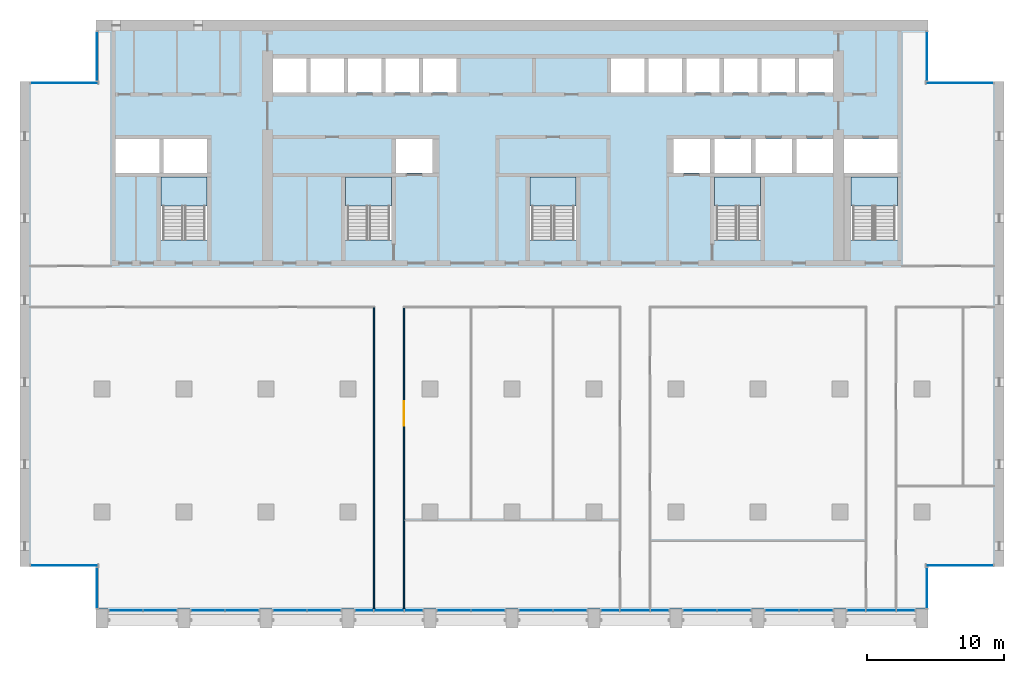
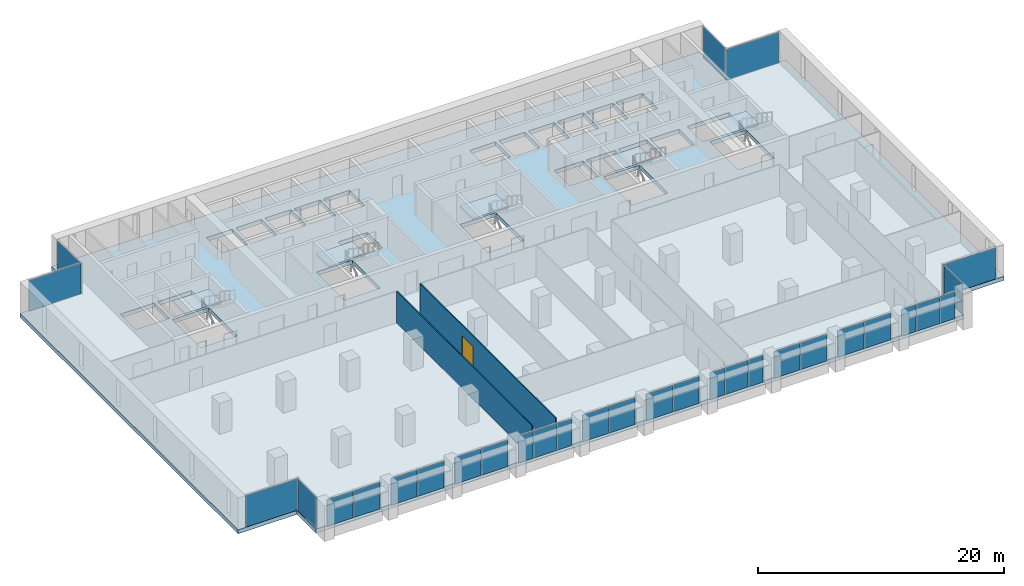
# One storey, part 7 of 15: 31 plates, 6 slabs, 2 walls, 1 door, 1 opening, 23 elements without a shape of their own.
"""IFC4 building model written with IfcOpenShell, lengths in metres."""

from ifc_helpers import new_model, si_unit, direction, frame, frame_2d, origin, origin_2d, place, context, subcontext, project, spatial, polyline, rectangle, outline, extrude, material, layer, layer_set, type_object, element, fill, aggregate, save


model = new_model("IFC4")

# Units and contexts
model_context = context("Model", 3, precision=1e-05, world=origin(), true_north=direction((0.0, 1.0)))
body_context = subcontext(model_context, "Body", "Model", "MODEL_VIEW")
ifc_project = project(units=[si_unit("LENGTHUNIT", "METRE"), si_unit("AREAUNIT", "SQUARE_METRE"), si_unit("VOLUMEUNIT", "CUBIC_METRE"), si_unit("PLANEANGLEUNIT", "RADIAN"), si_unit("MASSUNIT", "GRAM", prefix="KILO")], contexts=[model_context])

# Site, building, storey
site_placement = place(None, origin())
site = spatial("IfcSite", under=ifc_project, at=site_placement, CompositionType="ELEMENT")
building_placement = place(site_placement, origin())
building = spatial("IfcBuilding", under=site, at=building_placement, Name="Calvaro Tower", CompositionType="ELEMENT")
storey_placement = place(building_placement, frame((0.0, 0.0, 155.0)))
storey = spatial("IfcBuildingStorey", under=building, at=storey_placement, Name="L39", CompositionType="ELEMENT", Elevation=155.0)

# Slab
ifc_material_1 = material(Name="Concrete C40/50", Category="concrete")
ifc_layer_1 = layer(ifc_material_1, 0.39990234375)
ifc_layer_set_1 = layer_set([ifc_layer_1], Name="Concrete C40/50")
slab_type_1 = type_object("IfcSlabType", Name="Floor slab 400 C40/50", PredefinedType="FLOOR", material=ifc_layer_set_1)
slab_1_placement = place(storey_placement, frame((0.0, 0.0, -0.39990234375)))
element("IfcSlab", 1, at=slab_1_placement, inside=storey, type_object=slab_type_1, Name="Floor slab", PredefinedType="FLOOR", context=body_context, shape_type="SweptSolid", body=[
    extrude(outline(polyline([(66.449951171875, 6.0), (66.449951171875, 2.89990234375), (5.550048828125, 2.89990234375), (5.550048828125, 6.0), (0.0, 6.0), (0.0, 41.5), (5.550048828125, 41.5), (5.550048828125, 46.0), (66.449951171875, 46.0), (66.449951171875, 41.5), (72.0, 41.5), (72.0, 6.0), (66.449951171875, 6.0)]), holes=[polyline([(10.300048828125, 29.909912109375), (10.300048828125, 34.5), (12.0, 34.5), (13.699951171875, 34.5), (13.699951171875, 29.909912109375), (12.0, 29.909912109375), (10.300048828125, 29.909912109375)]), polyline([(23.800048828125, 29.909912109375), (23.800048828125, 34.5), (25.5, 34.5), (27.199951171875, 34.5), (27.199951171875, 29.909912109375), (25.5, 29.909912109375), (23.800048828125, 29.909912109375)]), polyline([(37.300048828125, 29.909912109375), (37.300048828125, 34.5), (39.0, 34.5), (40.699951171875, 34.5), (40.699951171875, 29.909912109375), (39.0, 29.909912109375), (37.300048828125, 29.909912109375)]), polyline([(50.800048828125, 29.909912109375), (50.800048828125, 34.5), (52.5, 34.5), (54.199951171875, 34.5), (54.199951171875, 29.909912109375), (52.5, 29.909912109375), (50.800048828125, 29.909912109375)]), polyline([(60.800048828125, 29.909912109375), (60.800048828125, 34.5), (62.5, 34.5), (64.199951171875, 34.5), (64.199951171875, 29.909912109375), (62.5, 29.909912109375), (60.800048828125, 29.909912109375)]), polyline([(50.800048828125, 34.800048828125), (53.5, 34.800048828125), (53.5, 37.300048828125), (50.800048828125, 37.300048828125), (50.800048828125, 34.800048828125)]), polyline([(53.800048828125, 34.800048828125), (56.5, 34.800048828125), (56.5, 37.300048828125), (53.800048828125, 37.300048828125), (53.800048828125, 34.800048828125)]), polyline([(56.800048828125, 34.800048828125), (59.5, 34.800048828125), (59.5, 37.300048828125), (56.800048828125, 37.300048828125), (56.800048828125, 34.800048828125)]), polyline([(18.5, 40.699951171875), (20.949951171875, 40.699951171875), (20.949951171875, 43.199951171875), (18.5, 43.199951171875), (18.5, 40.699951171875)]), polyline([(21.25, 40.699951171875), (23.699951171875, 40.699951171875), (23.699951171875, 43.199951171875), (21.25, 43.199951171875), (21.25, 40.699951171875)]), polyline([(24.0, 40.699951171875), (26.449951171875, 40.699951171875), (26.449951171875, 43.199951171875), (24.0, 43.199951171875), (24.0, 40.699951171875)]), polyline([(26.75, 40.699951171875), (29.199951171875, 40.699951171875), (29.199951171875, 43.199951171875), (26.75, 43.199951171875), (26.75, 40.699951171875)]), polyline([(29.5, 40.699951171875), (31.949951171875, 40.699951171875), (31.949951171875, 43.199951171875), (29.5, 43.199951171875), (29.5, 40.699951171875)]), polyline([(43.25, 40.699951171875), (45.699951171875, 40.699951171875), (45.699951171875, 43.199951171875), (43.25, 43.199951171875), (43.25, 40.699951171875)]), polyline([(46.0, 40.699951171875), (48.449951171875, 40.699951171875), (48.449951171875, 43.199951171875), (46.0, 43.199951171875), (46.0, 40.699951171875)]), polyline([(48.75, 40.699951171875), (51.199951171875, 40.699951171875), (51.199951171875, 43.199951171875), (48.75, 43.199951171875), (48.75, 40.699951171875)]), polyline([(51.5, 40.699951171875), (53.949951171875, 40.699951171875), (53.949951171875, 43.199951171875), (51.5, 43.199951171875), (51.5, 40.699951171875)]), polyline([(54.25, 40.699951171875), (56.699951171875, 40.699951171875), (56.699951171875, 43.199951171875), (54.25, 43.199951171875), (54.25, 40.699951171875)]), polyline([(57.0, 40.699951171875), (59.5, 40.699951171875), (59.5, 43.199951171875), (57.0, 43.199951171875), (57.0, 40.699951171875)]), polyline([(7.0, 34.800048828125), (10.199951171875, 34.800048828125), (10.199951171875, 37.300048828125), (7.0, 37.300048828125), (7.0, 34.800048828125)]), polyline([(10.5, 34.800048828125), (13.699951171875, 34.800048828125), (13.699951171875, 37.300048828125), (10.5, 37.300048828125), (10.5, 34.800048828125)]), polyline([(60.300048828125, 34.800048828125), (64.199951171875, 34.800048828125), (64.199951171875, 37.300048828125), (60.300048828125, 37.300048828125), (60.300048828125, 34.800048828125)]), polyline([(27.5, 34.800048828125), (30.199951171875, 34.800048828125), (30.199951171875, 37.300048828125), (27.5, 37.300048828125), (27.5, 34.800048828125)]), polyline([(47.800048828125, 34.800048828125), (50.5, 34.800048828125), (50.5, 37.300048828125), (47.800048828125, 37.300048828125), (47.800048828125, 34.800048828125)])]), origin(), (0.0, 0.0, 1.0), 0.39990234375),
])

# Curtain wall, plates
ifc_material_2 = material(Name="Anodised aluminium", Category="aluminium")
curtain_wall_type = type_object("IfcCurtainWallType", Name="Office curtain wall, middle zone", PredefinedType="NOTDEFINED", material=ifc_material_2)
curtain_wall_1_placement = place(storey_placement, origin())
curtain_wall_1 = element("IfcCurtainWall", 2, at=curtain_wall_1_placement, inside=storey, type_object=curtain_wall_type, Name="CW2 south curtain wall", PredefinedType="NOTDEFINED")
ifc_material_3 = material(Name="Glass", Category="glass")
ifc_layer_2 = layer(ifc_material_3, 0.031982421875)
ifc_layer_set_2 = layer_set([ifc_layer_2], Name="Glass")
plate_type = type_object("IfcPlateType", Name="Glass panel S2 32", PredefinedType="CURTAIN_PANEL", material=ifc_layer_set_2)
plate_1_placement = place(storey_placement, frame((7.742431640625, 2.800048828125, 0.0), z_axis=(0.0, 0.0, 1.0), x_axis=(1.0, 0.0, 0.0)))
plate_1 = element("IfcPlate", 3, at=plate_1_placement, type_object=plate_type, Name="CW2 glass panel 1.1", PredefinedType="CURTAIN_PANEL", context=body_context, shape_type="SweptSolid", body=[
    extrude(rectangle(XDim=2.445068359375, YDim=0.031982421875, at=origin_2d()), origin(), (0.0, 0.0, 1.0), 2.64990234375),
])
plate_2_placement = place(storey_placement, frame((10.257568359375, 2.800048828125, 0.0), z_axis=(0.0, 0.0, 1.0), x_axis=(1.0, 0.0, 0.0)))
plate_2 = element("IfcPlate", 4, at=plate_2_placement, type_object=plate_type, Name="CW2 glass panel 2.1", PredefinedType="CURTAIN_PANEL", context=body_context, shape_type="SweptSolid", body=[
    extrude(rectangle(XDim=2.445068359375, YDim=0.031982421875, at=origin_2d()), origin(), (0.0, 0.0, 1.0), 2.64990234375),
])
aggregate(curtain_wall_1, [plate_1, plate_2])

curtain_wall_2_placement = place(storey_placement, origin())
curtain_wall_2 = element("IfcCurtainWall", 5, at=curtain_wall_2_placement, inside=storey, type_object=curtain_wall_type, Name="CW2 south curtain wall", PredefinedType="NOTDEFINED")
plate_3_placement = place(storey_placement, frame((13.742431640625, 2.800048828125, 0.0), z_axis=(0.0, 0.0, 1.0), x_axis=(1.0, 0.0, 0.0)))
plate_3 = element("IfcPlate", 6, at=plate_3_placement, type_object=plate_type, Name="CW2 glass panel 1.1", PredefinedType="CURTAIN_PANEL", context=body_context, shape_type="SweptSolid", body=[
    extrude(rectangle(XDim=2.445068359375, YDim=0.031982421875, at=origin_2d()), origin(), (0.0, 0.0, 1.0), 2.64990234375),
])
plate_4_placement = place(storey_placement, frame((16.257568359375, 2.800048828125, 0.0), z_axis=(0.0, 0.0, 1.0), x_axis=(1.0, 0.0, 0.0)))
plate_4 = element("IfcPlate", 7, at=plate_4_placement, type_object=plate_type, Name="CW2 glass panel 2.1", PredefinedType="CURTAIN_PANEL", context=body_context, shape_type="SweptSolid", body=[
    extrude(rectangle(XDim=2.445068359375, YDim=0.031982421875, at=origin_2d()), origin(), (0.0, 0.0, 1.0), 2.64990234375),
])
aggregate(curtain_wall_2, [plate_3, plate_4])

curtain_wall_3_placement = place(storey_placement, origin())
curtain_wall_3 = element("IfcCurtainWall", 8, at=curtain_wall_3_placement, inside=storey, type_object=curtain_wall_type, Name="CW2 south curtain wall", PredefinedType="NOTDEFINED")
plate_5_placement = place(storey_placement, frame((19.742431640625, 2.800048828125, 0.0), z_axis=(0.0, 0.0, 1.0), x_axis=(1.0, 0.0, 0.0)))
plate_5 = element("IfcPlate", 9, at=plate_5_placement, type_object=plate_type, Name="CW2 glass panel 1.1", PredefinedType="CURTAIN_PANEL", context=body_context, shape_type="SweptSolid", body=[
    extrude(rectangle(XDim=2.445068359375, YDim=0.031982421875, at=origin_2d()), origin(), (0.0, 0.0, 1.0), 2.64990234375),
])
plate_6_placement = place(storey_placement, frame((22.257568359375, 2.800048828125, 0.0), z_axis=(0.0, 0.0, 1.0), x_axis=(1.0, 0.0, 0.0)))
plate_6 = element("IfcPlate", 10, at=plate_6_placement, type_object=plate_type, Name="CW2 glass panel 2.1", PredefinedType="CURTAIN_PANEL", context=body_context, shape_type="SweptSolid", body=[
    extrude(rectangle(XDim=2.445068359375, YDim=0.031982421875, at=origin_2d()), origin(), (0.0, 0.0, 1.0), 2.64990234375),
])
aggregate(curtain_wall_3, [plate_5, plate_6])

curtain_wall_4_placement = place(storey_placement, origin())
curtain_wall_4 = element("IfcCurtainWall", 11, at=curtain_wall_4_placement, inside=storey, type_object=curtain_wall_type, Name="CW2 south curtain wall", PredefinedType="NOTDEFINED")
plate_7_placement = place(storey_placement, frame((25.1923828125, 2.800048828125, 0.0), z_axis=(0.0, 0.0, 1.0), x_axis=(1.0, 0.0, 0.0)))
plate_7 = element("IfcPlate", 12, at=plate_7_placement, type_object=plate_type, Name="CW2 glass panel 1.1", PredefinedType="CURTAIN_PANEL", context=body_context, shape_type="SweptSolid", body=[
    extrude(rectangle(XDim=1.344970703125, YDim=0.031982421875, at=origin_2d()), origin(), (0.0, 0.0, 1.0), 2.64990234375),
])
plate_8_placement = place(storey_placement, frame((27.0, 2.800048828125, 0.0), z_axis=(0.0, 0.0, 1.0), x_axis=(1.0, 0.0, 0.0)))
plate_8 = element("IfcPlate", 13, at=plate_8_placement, type_object=plate_type, Name="CW2 glass panel 2.1", PredefinedType="CURTAIN_PANEL", context=body_context, shape_type="SweptSolid", body=[
    extrude(rectangle(XDim=2.1298828125, YDim=0.031982421875, at=origin_2d()), origin(), (0.0, 0.0, 1.0), 2.64990234375),
])
plate_9_placement = place(storey_placement, frame((28.8076171875, 2.800048828125, 0.0), z_axis=(0.0, 0.0, 1.0), x_axis=(1.0, 0.0, 0.0)))
plate_9 = element("IfcPlate", 14, at=plate_9_placement, type_object=plate_type, Name="CW2 glass panel 3.1", PredefinedType="CURTAIN_PANEL", context=body_context, shape_type="SweptSolid", body=[
    extrude(rectangle(XDim=1.344970703125, YDim=0.031982421875, at=origin_2d()), origin(), (0.0, 0.0, 1.0), 2.64990234375),
])
aggregate(curtain_wall_4, [plate_7, plate_8, plate_9])

curtain_wall_5_placement = place(storey_placement, origin())
curtain_wall_5 = element("IfcCurtainWall", 15, at=curtain_wall_5_placement, inside=storey, type_object=curtain_wall_type, Name="CW2 south curtain wall", PredefinedType="NOTDEFINED")
plate_10_placement = place(storey_placement, frame((31.742431640625, 2.800048828125, 0.0), z_axis=(0.0, 0.0, 1.0), x_axis=(1.0, 0.0, 0.0)))
plate_10 = element("IfcPlate", 16, at=plate_10_placement, type_object=plate_type, Name="CW2 glass panel 1.1", PredefinedType="CURTAIN_PANEL", context=body_context, shape_type="SweptSolid", body=[
    extrude(rectangle(XDim=2.445068359375, YDim=0.031982421875, at=origin_2d()), origin(), (0.0, 0.0, 1.0), 2.64990234375),
])
plate_11_placement = place(storey_placement, frame((34.257568359375, 2.800048828125, 0.0), z_axis=(0.0, 0.0, 1.0), x_axis=(1.0, 0.0, 0.0)))
plate_11 = element("IfcPlate", 17, at=plate_11_placement, type_object=plate_type, Name="CW2 glass panel 2.1", PredefinedType="CURTAIN_PANEL", context=body_context, shape_type="SweptSolid", body=[
    extrude(rectangle(XDim=2.445068359375, YDim=0.031982421875, at=origin_2d()), origin(), (0.0, 0.0, 1.0), 2.64990234375),
])
aggregate(curtain_wall_5, [plate_10, plate_11])

curtain_wall_6_placement = place(storey_placement, origin())
curtain_wall_6 = element("IfcCurtainWall", 18, at=curtain_wall_6_placement, inside=storey, type_object=curtain_wall_type, Name="CW2 south curtain wall", PredefinedType="NOTDEFINED")
plate_12_placement = place(storey_placement, frame((37.742431640625, 2.800048828125, 0.0), z_axis=(0.0, 0.0, 1.0), x_axis=(1.0, 0.0, 0.0)))
plate_12 = element("IfcPlate", 19, at=plate_12_placement, type_object=plate_type, Name="CW2 glass panel 1.1", PredefinedType="CURTAIN_PANEL", context=body_context, shape_type="SweptSolid", body=[
    extrude(rectangle(XDim=2.445068359375, YDim=0.031982421875, at=origin_2d()), origin(), (0.0, 0.0, 1.0), 2.64990234375),
])
plate_13_placement = place(storey_placement, frame((40.257568359375, 2.800048828125, 0.0), z_axis=(0.0, 0.0, 1.0), x_axis=(1.0, 0.0, 0.0)))
plate_13 = element("IfcPlate", 20, at=plate_13_placement, type_object=plate_type, Name="CW2 glass panel 2.1", PredefinedType="CURTAIN_PANEL", context=body_context, shape_type="SweptSolid", body=[
    extrude(rectangle(XDim=2.445068359375, YDim=0.031982421875, at=origin_2d()), origin(), (0.0, 0.0, 1.0), 2.64990234375),
])
aggregate(curtain_wall_6, [plate_12, plate_13])

curtain_wall_7_placement = place(storey_placement, origin())
curtain_wall_7 = element("IfcCurtainWall", 21, at=curtain_wall_7_placement, inside=storey, type_object=curtain_wall_type, Name="CW2 south curtain wall", PredefinedType="NOTDEFINED")
plate_14_placement = place(storey_placement, frame((43.1923828125, 2.800048828125, 0.0), z_axis=(0.0, 0.0, 1.0), x_axis=(1.0, 0.0, 0.0)))
plate_14 = element("IfcPlate", 22, at=plate_14_placement, type_object=plate_type, Name="CW2 glass panel 1.1", PredefinedType="CURTAIN_PANEL", context=body_context, shape_type="SweptSolid", body=[
    extrude(rectangle(XDim=1.344970703125, YDim=0.031982421875, at=origin_2d()), origin(), (0.0, 0.0, 1.0), 2.64990234375),
])
plate_15_placement = place(storey_placement, frame((45.0, 2.800048828125, 0.0), z_axis=(0.0, 0.0, 1.0), x_axis=(1.0, 0.0, 0.0)))
plate_15 = element("IfcPlate", 23, at=plate_15_placement, type_object=plate_type, Name="CW2 glass panel 2.1", PredefinedType="CURTAIN_PANEL", context=body_context, shape_type="SweptSolid", body=[
    extrude(rectangle(XDim=2.1298828125, YDim=0.031982421875, at=origin_2d()), origin(), (0.0, 0.0, 1.0), 2.64990234375),
])
plate_16_placement = place(storey_placement, frame((46.8076171875, 2.800048828125, 0.0), z_axis=(0.0, 0.0, 1.0), x_axis=(1.0, 0.0, 0.0)))
plate_16 = element("IfcPlate", 24, at=plate_16_placement, type_object=plate_type, Name="CW2 glass panel 3.1", PredefinedType="CURTAIN_PANEL", context=body_context, shape_type="SweptSolid", body=[
    extrude(rectangle(XDim=1.344970703125, YDim=0.031982421875, at=origin_2d()), origin(), (0.0, 0.0, 1.0), 2.64990234375),
])
aggregate(curtain_wall_7, [plate_14, plate_15, plate_16])

curtain_wall_8_placement = place(storey_placement, origin())
curtain_wall_8 = element("IfcCurtainWall", 25, at=curtain_wall_8_placement, inside=storey, type_object=curtain_wall_type, Name="CW2 south curtain wall", PredefinedType="NOTDEFINED")
plate_17_placement = place(storey_placement, frame((49.742431640625, 2.800048828125, 0.0), z_axis=(0.0, 0.0, 1.0), x_axis=(1.0, 0.0, 0.0)))
plate_17 = element("IfcPlate", 26, at=plate_17_placement, type_object=plate_type, Name="CW2 glass panel 1.1", PredefinedType="CURTAIN_PANEL", context=body_context, shape_type="SweptSolid", body=[
    extrude(rectangle(XDim=2.445068359375, YDim=0.031982421875, at=origin_2d()), origin(), (0.0, 0.0, 1.0), 2.64990234375),
])
plate_18_placement = place(storey_placement, frame((52.257568359375, 2.800048828125, 0.0), z_axis=(0.0, 0.0, 1.0), x_axis=(1.0, 0.0, 0.0)))
plate_18 = element("IfcPlate", 27, at=plate_18_placement, type_object=plate_type, Name="CW2 glass panel 2.1", PredefinedType="CURTAIN_PANEL", context=body_context, shape_type="SweptSolid", body=[
    extrude(rectangle(XDim=2.445068359375, YDim=0.031982421875, at=origin_2d()), origin(), (0.0, 0.0, 1.0), 2.64990234375),
])
aggregate(curtain_wall_8, [plate_17, plate_18])

curtain_wall_9_placement = place(storey_placement, origin())
curtain_wall_9 = element("IfcCurtainWall", 28, at=curtain_wall_9_placement, inside=storey, type_object=curtain_wall_type, Name="CW2 south curtain wall", PredefinedType="NOTDEFINED")
plate_19_placement = place(storey_placement, frame((55.742431640625, 2.800048828125, 0.0), z_axis=(0.0, 0.0, 1.0), x_axis=(1.0, 0.0, 0.0)))
plate_19 = element("IfcPlate", 29, at=plate_19_placement, type_object=plate_type, Name="CW2 glass panel 1.1", PredefinedType="CURTAIN_PANEL", context=body_context, shape_type="SweptSolid", body=[
    extrude(rectangle(XDim=2.445068359375, YDim=0.031982421875, at=origin_2d()), origin(), (0.0, 0.0, 1.0), 2.64990234375),
])
plate_20_placement = place(storey_placement, frame((58.257568359375, 2.800048828125, 0.0), z_axis=(0.0, 0.0, 1.0), x_axis=(1.0, 0.0, 0.0)))
plate_20 = element("IfcPlate", 30, at=plate_20_placement, type_object=plate_type, Name="CW2 glass panel 2.1", PredefinedType="CURTAIN_PANEL", context=body_context, shape_type="SweptSolid", body=[
    extrude(rectangle(XDim=2.445068359375, YDim=0.031982421875, at=origin_2d()), origin(), (0.0, 0.0, 1.0), 2.64990234375),
])
aggregate(curtain_wall_9, [plate_19, plate_20])

curtain_wall_10_placement = place(storey_placement, origin())
curtain_wall_10 = element("IfcCurtainWall", 31, at=curtain_wall_10_placement, inside=storey, type_object=curtain_wall_type, Name="CW2 south curtain wall", PredefinedType="NOTDEFINED")
plate_21_placement = place(storey_placement, frame((61.1923828125, 2.800048828125, 0.0), z_axis=(0.0, 0.0, 1.0), x_axis=(1.0, 0.0, 0.0)))
plate_21 = element("IfcPlate", 32, at=plate_21_placement, type_object=plate_type, Name="CW2 glass panel 1.1", PredefinedType="CURTAIN_PANEL", context=body_context, shape_type="SweptSolid", body=[
    extrude(rectangle(XDim=1.344970703125, YDim=0.031982421875, at=origin_2d()), origin(), (0.0, 0.0, 1.0), 2.64990234375),
])
plate_22_placement = place(storey_placement, frame((63.0, 2.800048828125, 0.0), z_axis=(0.0, 0.0, 1.0), x_axis=(1.0, 0.0, 0.0)))
plate_22 = element("IfcPlate", 33, at=plate_22_placement, type_object=plate_type, Name="CW2 glass panel 2.1", PredefinedType="CURTAIN_PANEL", context=body_context, shape_type="SweptSolid", body=[
    extrude(rectangle(XDim=2.1298828125, YDim=0.031982421875, at=origin_2d()), origin(), (0.0, 0.0, 1.0), 2.64990234375),
])
plate_23_placement = place(storey_placement, frame((64.8076171875, 2.800048828125, 0.0), z_axis=(0.0, 0.0, 1.0), x_axis=(1.0, 0.0, 0.0)))
plate_23 = element("IfcPlate", 34, at=plate_23_placement, type_object=plate_type, Name="CW2 glass panel 3.1", PredefinedType="CURTAIN_PANEL", context=body_context, shape_type="SweptSolid", body=[
    extrude(rectangle(XDim=1.344970703125, YDim=0.031982421875, at=origin_2d()), origin(), (0.0, 0.0, 1.0), 2.64990234375),
])
aggregate(curtain_wall_10, [plate_21, plate_22, plate_23])

# Curtain wall, plate
curtain_wall_11_placement = place(storey_placement, origin())
curtain_wall_11 = element("IfcCurtainWall", 35, at=curtain_wall_11_placement, inside=storey, type_object=curtain_wall_type, Name="CW2 corner curtain wall", PredefinedType="NOTDEFINED")
plate_24_placement = place(storey_placement, frame((5.64990234375, 4.449951171875, 0.0), z_axis=(0.0, 0.0, 1.0), x_axis=(0.0, 1.0, 0.0)))
plate_24 = element("IfcPlate", 36, at=plate_24_placement, type_object=plate_type, Name="CW2 glass panel 1.1", PredefinedType="CURTAIN_PANEL", context=body_context, shape_type="SweptSolid", body=[
    extrude(rectangle(XDim=2.9599609375, YDim=0.031982421875, at=origin_2d()), origin(), (0.0, 0.0, 1.0), 3.050048828125),
])
aggregate(curtain_wall_11, [plate_24])

curtain_wall_12_placement = place(storey_placement, origin())
curtain_wall_12 = element("IfcCurtainWall", 37, at=curtain_wall_12_placement, inside=storey, type_object=curtain_wall_type, Name="CW2 corner curtain wall", PredefinedType="NOTDEFINED")
plate_25_placement = place(storey_placement, frame((3.22509765625, 6.10009765625, 0.0), z_axis=(0.0, 0.0, 1.0), x_axis=(1.0, 0.0, 0.0)))
plate_25 = element("IfcPlate", 38, at=plate_25_placement, type_object=plate_type, Name="CW2 glass panel 1.1", PredefinedType="CURTAIN_PANEL", context=body_context, shape_type="SweptSolid", body=[
    extrude(rectangle(XDim=4.909912109375, YDim=0.031982421875, at=origin_2d()), origin(), (0.0, 0.0, 1.0), 3.050048828125),
])
aggregate(curtain_wall_12, [plate_25])

curtain_wall_13_placement = place(storey_placement, origin())
curtain_wall_13 = element("IfcCurtainWall", 39, at=curtain_wall_13_placement, inside=storey, type_object=curtain_wall_type, Name="CW2 corner curtain wall", PredefinedType="NOTDEFINED")
plate_26_placement = place(storey_placement, frame((5.64990234375, 43.35009765625, 0.0), z_axis=(0.0, 0.0, 1.0), x_axis=(0.0, 1.0, 0.0)))
plate_26 = element("IfcPlate", 40, at=plate_26_placement, type_object=plate_type, Name="CW2 glass panel 1.1", PredefinedType="CURTAIN_PANEL", context=body_context, shape_type="SweptSolid", body=[
    extrude(rectangle(XDim=3.56005859375, YDim=0.031982421875, at=origin_2d()), origin(), (0.0, 0.0, 1.0), 3.050048828125),
])
aggregate(curtain_wall_13, [plate_26])

curtain_wall_14_placement = place(storey_placement, origin())
curtain_wall_14 = element("IfcCurtainWall", 41, at=curtain_wall_14_placement, inside=storey, type_object=curtain_wall_type, Name="CW2 corner curtain wall", PredefinedType="NOTDEFINED")
plate_27_placement = place(storey_placement, frame((3.22509765625, 41.39990234375, 0.0), z_axis=(0.0, 0.0, 1.0), x_axis=(1.0, 0.0, 0.0)))
plate_27 = element("IfcPlate", 42, at=plate_27_placement, type_object=plate_type, Name="CW2 glass panel 1.1", PredefinedType="CURTAIN_PANEL", context=body_context, shape_type="SweptSolid", body=[
    extrude(rectangle(XDim=4.909912109375, YDim=0.031982421875, at=origin_2d()), origin(), (0.0, 0.0, 1.0), 3.050048828125),
])
aggregate(curtain_wall_14, [plate_27])

curtain_wall_15_placement = place(storey_placement, origin())
curtain_wall_15 = element("IfcCurtainWall", 43, at=curtain_wall_15_placement, inside=storey, type_object=curtain_wall_type, Name="CW2 corner curtain wall", PredefinedType="NOTDEFINED")
plate_28_placement = place(storey_placement, frame((66.35009765625, 4.449951171875, 0.0), z_axis=(0.0, 0.0, 1.0), x_axis=(0.0, 1.0, 0.0)))
plate_28 = element("IfcPlate", 44, at=plate_28_placement, type_object=plate_type, Name="CW2 glass panel 1.1", PredefinedType="CURTAIN_PANEL", context=body_context, shape_type="SweptSolid", body=[
    extrude(rectangle(XDim=2.9599609375, YDim=0.031982421875, at=origin_2d()), origin(), (0.0, 0.0, 1.0), 3.050048828125),
])
aggregate(curtain_wall_15, [plate_28])

curtain_wall_16_placement = place(storey_placement, origin())
curtain_wall_16 = element("IfcCurtainWall", 45, at=curtain_wall_16_placement, inside=storey, type_object=curtain_wall_type, Name="CW2 corner curtain wall", PredefinedType="NOTDEFINED")
plate_29_placement = place(storey_placement, frame((68.77490234375, 6.10009765625, 0.0), z_axis=(0.0, 0.0, 1.0), x_axis=(1.0, 0.0, 0.0)))
plate_29 = element("IfcPlate", 46, at=plate_29_placement, type_object=plate_type, Name="CW2 glass panel 1.1", PredefinedType="CURTAIN_PANEL", context=body_context, shape_type="SweptSolid", body=[
    extrude(rectangle(XDim=4.909912109375, YDim=0.031982421875, at=origin_2d()), origin(), (0.0, 0.0, 1.0), 3.050048828125),
])
aggregate(curtain_wall_16, [plate_29])

curtain_wall_17_placement = place(storey_placement, origin())
curtain_wall_17 = element("IfcCurtainWall", 47, at=curtain_wall_17_placement, inside=storey, type_object=curtain_wall_type, Name="CW2 corner curtain wall", PredefinedType="NOTDEFINED")
plate_30_placement = place(storey_placement, frame((66.35009765625, 43.35009765625, 0.0), z_axis=(0.0, 0.0, 1.0), x_axis=(0.0, 1.0, 0.0)))
plate_30 = element("IfcPlate", 48, at=plate_30_placement, type_object=plate_type, Name="CW2 glass panel 1.1", PredefinedType="CURTAIN_PANEL", context=body_context, shape_type="SweptSolid", body=[
    extrude(rectangle(XDim=3.56005859375, YDim=0.031982421875, at=origin_2d()), origin(), (0.0, 0.0, 1.0), 3.050048828125),
])
aggregate(curtain_wall_17, [plate_30])

curtain_wall_18_placement = place(storey_placement, origin())
curtain_wall_18 = element("IfcCurtainWall", 49, at=curtain_wall_18_placement, inside=storey, type_object=curtain_wall_type, Name="CW2 corner curtain wall", PredefinedType="NOTDEFINED")
plate_31_placement = place(storey_placement, frame((68.77490234375, 41.39990234375, 0.0), z_axis=(0.0, 0.0, 1.0), x_axis=(1.0, 0.0, 0.0)))
plate_31 = element("IfcPlate", 50, at=plate_31_placement, type_object=plate_type, Name="CW2 glass panel 1.1", PredefinedType="CURTAIN_PANEL", context=body_context, shape_type="SweptSolid", body=[
    extrude(rectangle(XDim=4.909912109375, YDim=0.031982421875, at=origin_2d()), origin(), (0.0, 0.0, 1.0), 3.050048828125),
])
aggregate(curtain_wall_18, [plate_31])

# Stair, slab
ifc_material_4 = material(Name="Concrete C40/50", Category="concrete")
stair_type = type_object("IfcStairType", Name="Exit stair 1400 2 flights", PredefinedType="HALF_TURN_STAIR", material=ifc_material_4)
stair_1_placement = place(storey_placement, origin())
stair_1 = element("IfcStair", 51, at=stair_1_placement, inside=storey, type_object=stair_type, Name="Exit stair S1", PredefinedType="HALF_TURN_STAIR")
ifc_material_5 = material(Name="Concrete C40/50", Category="concrete")
ifc_layer_3 = layer(ifc_material_5, 0.199951171875)
ifc_layer_set_3 = layer_set([ifc_layer_3], Name="Concrete C40/50")
slab_type_2 = type_object("IfcSlabType", Name="Stair landing", PredefinedType="LANDING", material=ifc_layer_set_3)
slab_2_placement = place(storey_placement, frame((0.0, 0.0, 1.675048828125)))
slab_2 = element("IfcSlab", 52, at=slab_2_placement, type_object=slab_type_2, Name="Exit stair 1, landing 1", PredefinedType="LANDING", context=body_context, shape_type="SweptSolid", body=[
    extrude(outline(polyline([(11.89990234375, 32.389892578125), (10.5, 32.389892578125), (10.5, 32.39990234375), (10.300048828125, 32.39990234375), (10.300048828125, 34.5), (10.5, 34.5), (11.89990234375, 34.5), (12.10009765625, 34.5), (13.5, 34.5), (13.699951171875, 34.5), (13.699951171875, 32.39990234375), (13.5, 32.39990234375), (13.5, 32.389892578125), (12.10009765625, 32.389892578125), (12.10009765625, 32.39990234375), (11.89990234375, 32.39990234375), (11.89990234375, 32.389892578125)])), origin(), (0.0, 0.0, 1.0), 0.199951171875),
])
aggregate(stair_1, [slab_2])

stair_2_placement = place(storey_placement, origin())
stair_2 = element("IfcStair", 53, at=stair_2_placement, inside=storey, type_object=stair_type, Name="Exit stair S2", PredefinedType="HALF_TURN_STAIR")
slab_3_placement = place(storey_placement, frame((0.0, 0.0, 1.675048828125)))
slab_3 = element("IfcSlab", 54, at=slab_3_placement, type_object=slab_type_2, Name="Exit stair 2, landing 1", PredefinedType="LANDING", context=body_context, shape_type="SweptSolid", body=[
    extrude(outline(polyline([(25.39990234375, 32.389892578125), (24.0, 32.389892578125), (24.0, 32.39990234375), (23.800048828125, 32.39990234375), (23.800048828125, 34.5), (24.0, 34.5), (25.39990234375, 34.5), (25.60009765625, 34.5), (27.0, 34.5), (27.199951171875, 34.5), (27.199951171875, 32.39990234375), (27.0, 32.39990234375), (27.0, 32.389892578125), (25.60009765625, 32.389892578125), (25.60009765625, 32.39990234375), (25.39990234375, 32.39990234375), (25.39990234375, 32.389892578125)])), origin(), (0.0, 0.0, 1.0), 0.199951171875),
])
aggregate(stair_2, [slab_3])

stair_3_placement = place(storey_placement, origin())
stair_3 = element("IfcStair", 55, at=stair_3_placement, inside=storey, type_object=stair_type, Name="Exit stair S3", PredefinedType="HALF_TURN_STAIR")
slab_4_placement = place(storey_placement, frame((0.0, 0.0, 1.675048828125)))
slab_4 = element("IfcSlab", 56, at=slab_4_placement, type_object=slab_type_2, Name="Exit stair 3, landing 1", PredefinedType="LANDING", context=body_context, shape_type="SweptSolid", body=[
    extrude(outline(polyline([(38.89990234375, 32.389892578125), (37.5, 32.389892578125), (37.5, 32.39990234375), (37.300048828125, 32.39990234375), (37.300048828125, 34.5), (37.5, 34.5), (38.89990234375, 34.5), (39.10009765625, 34.5), (40.5, 34.5), (40.699951171875, 34.5), (40.699951171875, 32.39990234375), (40.5, 32.39990234375), (40.5, 32.389892578125), (39.10009765625, 32.389892578125), (39.10009765625, 32.39990234375), (38.89990234375, 32.39990234375), (38.89990234375, 32.389892578125)])), origin(), (0.0, 0.0, 1.0), 0.199951171875),
])
aggregate(stair_3, [slab_4])

stair_4_placement = place(storey_placement, origin())
stair_4 = element("IfcStair", 57, at=stair_4_placement, inside=storey, type_object=stair_type, Name="Exit stair S4", PredefinedType="HALF_TURN_STAIR")
slab_5_placement = place(storey_placement, frame((0.0, 0.0, 1.675048828125)))
slab_5 = element("IfcSlab", 58, at=slab_5_placement, type_object=slab_type_2, Name="Exit stair 4, landing 1", PredefinedType="LANDING", context=body_context, shape_type="SweptSolid", body=[
    extrude(outline(polyline([(52.39990234375, 32.389892578125), (51.0, 32.389892578125), (51.0, 32.39990234375), (50.800048828125, 32.39990234375), (50.800048828125, 34.5), (51.0, 34.5), (52.39990234375, 34.5), (52.60009765625, 34.5), (54.0, 34.5), (54.199951171875, 34.5), (54.199951171875, 32.39990234375), (54.0, 32.39990234375), (54.0, 32.389892578125), (52.60009765625, 32.389892578125), (52.60009765625, 32.39990234375), (52.39990234375, 32.39990234375), (52.39990234375, 32.389892578125)])), origin(), (0.0, 0.0, 1.0), 0.199951171875),
])
aggregate(stair_4, [slab_5])

stair_5_placement = place(storey_placement, origin())
stair_5 = element("IfcStair", 59, at=stair_5_placement, inside=storey, type_object=stair_type, Name="Exit stair S5", PredefinedType="HALF_TURN_STAIR")
slab_6_placement = place(storey_placement, frame((0.0, 0.0, 1.675048828125)))
slab_6 = element("IfcSlab", 60, at=slab_6_placement, type_object=slab_type_2, Name="Exit stair 5, landing 1", PredefinedType="LANDING", context=body_context, shape_type="SweptSolid", body=[
    extrude(outline(polyline([(62.39990234375, 32.389892578125), (61.0, 32.389892578125), (61.0, 32.39990234375), (60.800048828125, 32.39990234375), (60.800048828125, 34.5), (61.0, 34.5), (62.39990234375, 34.5), (62.60009765625, 34.5), (64.0, 34.5), (64.199951171875, 34.5), (64.199951171875, 32.39990234375), (64.0, 32.39990234375), (64.0, 32.389892578125), (62.60009765625, 32.389892578125), (62.60009765625, 32.39990234375), (62.39990234375, 32.39990234375), (62.39990234375, 32.389892578125)])), origin(), (0.0, 0.0, 1.0), 0.199951171875),
])
aggregate(stair_5, [slab_6])

# Wall
ifc_material_6 = material(Name="Plasterboard on steel studs", Category="steel")
ifc_layer_4 = layer(ifc_material_6, 0.10009765625)
ifc_layer_set_4 = layer_set([ifc_layer_4], Name="Plasterboard on steel studs")
wall_type = type_object("IfcWallType", Name="Partition 100", PredefinedType="PARTITIONING", material=ifc_layer_set_4)
wall_1_placement = place(storey_placement, frame((25.89990234375, 2.89990234375, 0.0), z_axis=(0.0, 0.0, 1.0), x_axis=(0.0, 1.0, 0.0)))
element("IfcWall", 61, at=wall_1_placement, inside=storey, type_object=wall_type, Name="Partition T23.W010", PredefinedType="PARTITIONING", context=body_context, shape_type="SweptSolid", body=[
    extrude(rectangle(XDim=22.050048828125, YDim=0.10009765625, at=frame_2d((11.02490234375, 0.0))), origin(), (0.0, 0.0, 1.0), 3.14990234375),
])

# Wall, opening, door
wall_2_placement = place(storey_placement, frame((28.10009765625, 2.89990234375, 0.0), z_axis=(0.0, 0.0, 1.0), x_axis=(0.0, 1.0, 0.0)))
wall_2 = element("IfcWall", 62, at=wall_2_placement, inside=storey, type_object=wall_type, Name="Partition T23.W011", PredefinedType="PARTITIONING", context=body_context, shape_type="SweptSolid", body=[
    extrude(rectangle(XDim=22.050048828125, YDim=0.10009765625, at=frame_2d((11.02490234375, 0.0))), origin(), (0.0, 0.0, 1.0), 3.14990234375),
])
opening_placement = place(wall_2_placement, frame((13.39990234375, 0.0, 0.0)))
opening = element("IfcOpeningElement", 63, at=opening_placement, cuts=wall_2, Name="Opening T23.008", PredefinedType="OPENING", context=body_context, shape_type="SweptSolid", body=[
    extrude(rectangle(XDim=1.800048828125, YDim=2.10009765625, at=frame_2d((0.89990234375, 1.050048828125))), frame((0.0, 0.06005859375, 0.0), z_axis=(0.0, -1.0, 0.0), x_axis=(1.0, 0.0, 0.0)), (0.0, 0.0, 1.0), 0.1201171875),
])
ifc_material_7 = material(Name="Timber", Category="wood")
door_type = type_object("IfcDoorType", Name="Internal double door 1800 x 2100", OperationType="DOUBLE_DOOR_SINGLE_SWING", PredefinedType="DOOR", material=ifc_material_7)
door_placement = place(opening_placement, origin())
door = element("IfcDoor", 64, at=door_placement, inside=storey, type_object=door_type, Name="Door T23.008", OperationType="DOUBLE_DOOR_SINGLE_SWING", OverallHeight=2.10009765625, OverallWidth=1.800048828125, PredefinedType="DOOR", context=body_context, shape_type="SweptSolid", body=[
    extrude(rectangle(XDim=1.800048828125, YDim=2.10009765625, at=frame_2d((0.89990234375, 1.050048828125))), frame((0.0, 0.02490234375, 0.0), z_axis=(0.0, -1.0, 0.0), x_axis=(1.0, 0.0, 0.0)), (0.0, 0.0, 1.0), 0.050048828125),
])
fill(opening, door)

save(model, "model.ifc")
